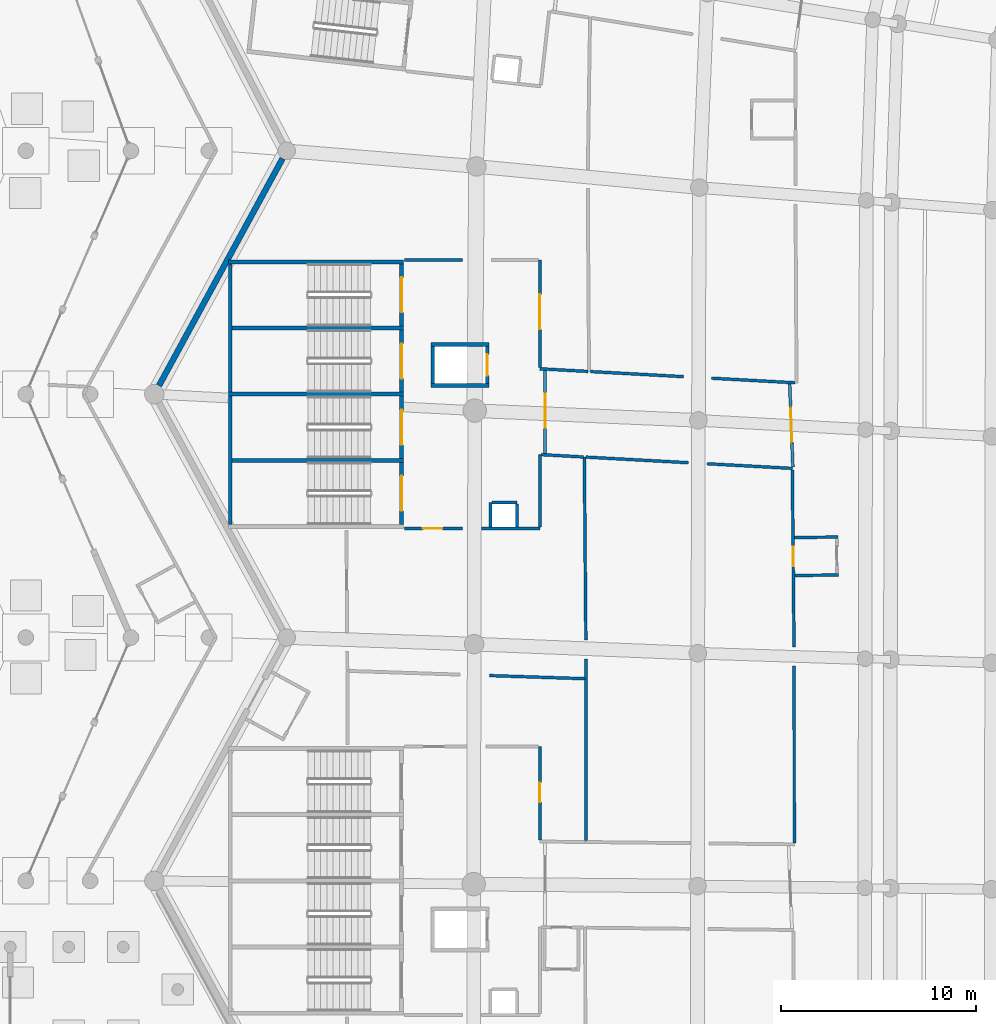
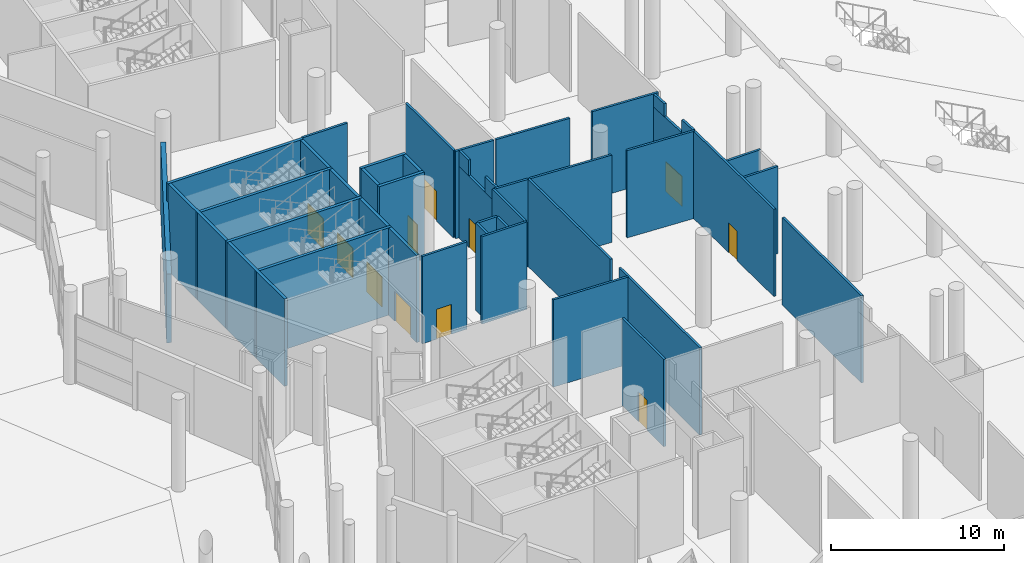
# One storey, part 133 of 255: 43 walls, 11 doors, 11 openings.
"""IFC4 building model written with IfcOpenShell, lengths in metres."""

import ifcopenshell
import ifcopenshell.guid

model = None  # the IFC model being written
_history = None  # IfcOwnerHistory: only IFC2X3 demands one
_inside = {}  # id of a spatial element -> (the spatial element, [elements in it])
_under = {}  # id of a project, library or spatial element -> (it, [spatial elements below it])
_declared = {}  # id of a project -> (the project, [libraries it declares])
_typed = {}  # id of a type object -> (the type object, [elements of that type])
_made_of = {}  # id of a material, layer set ... -> (it, [elements and type objects made of it])


def new_model(schema):
    """Start an empty IFC model of exactly this schema.

    Asked for "IFC4X3", IfcOpenShell would pick the latest addendum, in which some entities
    have other attributes; the version numbers below select the first issue.
    IFC2X3 requires an IfcOwnerHistory on every rooted entity: one is made here for all.
    """
    global model, _history
    if schema == "IFC4X3":
        model = ifcopenshell.file(schema_version=(4, 3, 0, 0))
    else:
        model = ifcopenshell.file(schema=schema)
    _inside.clear()
    _under.clear()
    _declared.clear()
    _typed.clear()
    _made_of.clear()
    _history = None
    if model.schema == "IFC2X3":
        org = make("IfcOrganization", Name="unknown")
        user = make(
            "IfcPersonAndOrganization",
            ThePerson=make("IfcPerson", FamilyName="unknown"),
            TheOrganization=org,
        )
        app = make(
            "IfcApplication",
            ApplicationDeveloper=org,
            Version="unknown",
            ApplicationFullName="unknown",
            ApplicationIdentifier="unknown",
        )
        _history = make(
            "IfcOwnerHistory",
            OwningUser=user,
            OwningApplication=app,
            ChangeAction="ADDED",
            CreationDate=0,
        )
    return model


def make(cls, **values):
    """One entity of the class cls with the attributes given. An attribute that is None is left unset."""
    return model.create_entity(
        cls, **{name: value for name, value in values.items() if value is not None}
    )


def rooted(cls, **values):
    """An entity with a GlobalId (a new one), such as an element, a storey or a relation."""
    return make(cls, GlobalId=ifcopenshell.guid.new(), OwnerHistory=_history, **values)


def si_unit(unit_type, name, prefix=None):
    """IfcSIUnit, for example si_unit("LENGTHUNIT", "METRE", prefix="MILLI")."""
    return make("IfcSIUnit", UnitType=unit_type, Prefix=prefix, Name=name)


def assignment(units):
    """IfcUnitAssignment: the units of a project."""
    return None if units is None else make("IfcUnitAssignment", Units=units)


def point(xyz):
    """IfcCartesianPoint."""
    return None if xyz is None else make("IfcCartesianPoint", Coordinates=xyz)


def direction(xyz):
    """IfcDirection."""
    return None if xyz is None else make("IfcDirection", DirectionRatios=xyz)


def frame(location, z_axis=None, x_axis=None):
    """IfcAxis2Placement3D, a coordinate frame: its origin and axes. An axis left out is left unset."""
    return make(
        "IfcAxis2Placement3D",
        Location=point(location),
        Axis=direction(z_axis),
        RefDirection=direction(x_axis),
    )


def frame_2d(location, x_axis=None):
    """IfcAxis2Placement2D, a coordinate frame in the plane: its origin and x axis."""
    return make(
        "IfcAxis2Placement2D", Location=point(location), RefDirection=direction(x_axis)
    )


def origin():
    """The frame at (0, 0, 0) with its axes left unset."""
    return frame((0.0, 0.0, 0.0))


def place(relative_to, where):
    """IfcLocalPlacement: puts the frame where relative to a parent placement (None: the world)."""
    return make(
        "IfcLocalPlacement", PlacementRelTo=relative_to, RelativePlacement=where
    )


def context(
    kind, dimensions, precision=None, world=None, true_north=None, identifier=None
):
    """IfcGeometricRepresentationContext, for example the 3D "Model" context."""
    return make(
        "IfcGeometricRepresentationContext",
        ContextIdentifier=identifier,
        ContextType=kind,
        CoordinateSpaceDimension=dimensions,
        Precision=precision,
        WorldCoordinateSystem=world,
        TrueNorth=true_north,
    )


def subcontext(parent, identifier, kind, view, scale=None):
    """IfcGeometricRepresentationSubContext, for example "Body" below "Model"."""
    return make(
        "IfcGeometricRepresentationSubContext",
        ContextIdentifier=identifier,
        ContextType=kind,
        ParentContext=parent,
        TargetScale=scale,
        TargetView=view,
    )


def project(units=None, contexts=None):
    """IfcProject with its units and contexts."""
    return rooted(
        "IfcProject",
        Name="project",
        RepresentationContexts=contexts,
        UnitsInContext=assignment(units),
    )


def spatial(cls, under=None, at=None, **own):
    """A site, building, storey or space (cls), placed at a placement, below another one or the project."""
    s = rooted(cls, ObjectPlacement=at, **own)
    if under is not None:
        _under.setdefault(under.id(), (under, []))[1].append(s)
    return s


def profile(cls, at=None, kind="AREA", **sizes):
    """A parametric profile (cls). Its sizes go by their IFC names, for example OverallWidth=200.0."""
    return make(cls, ProfileType=kind, Position=at, **sizes)


def rectangle(**sizes):
    """IfcRectangleProfileDef."""
    return profile("IfcRectangleProfileDef", **sizes)


def extrude(swept, where, along, depth):
    """IfcExtrudedAreaSolid: the profile swept, set in the frame where, extruded along a direction by depth."""
    return make(
        "IfcExtrudedAreaSolid",
        SweptArea=swept,
        Position=where,
        ExtrudedDirection=direction(along),
        Depth=depth,
    )


def shape(context_of_items, identifier, shape_type, items):
    """IfcShapeRepresentation: the items that make up one representation, for example the "Body"."""
    return make(
        "IfcShapeRepresentation",
        ContextOfItems=context_of_items,
        RepresentationIdentifier=identifier,
        RepresentationType=shape_type,
        Items=items,
    )


def material(Name=None, Category=None):
    """IfcMaterial."""
    return make("IfcMaterial", Name=Name, Category=Category)


def layer(
    of_material, thickness, ventilated=None, Name=None, Category=None, Priority=None
):
    """IfcMaterialLayer: one layer of a wall or slab, of a material (None: an air gap)."""
    return make(
        "IfcMaterialLayer",
        Material=of_material,
        LayerThickness=thickness,
        IsVentilated=ventilated,
        Name=Name,
        Category=Category,
        Priority=Priority,
    )


def layer_set(layers, Name=None):
    """IfcMaterialLayerSet."""
    return make("IfcMaterialLayerSet", MaterialLayers=layers, LayerSetName=Name)


def made_of(thing, what):
    """Note that an element or type object is made of a material, layer set ...; save() writes the relation."""
    if what is not None:
        _made_of.setdefault(what.id(), (what, []))[1].append(thing)
    return thing


def type_object(cls, material=None, **own):
    """A type object (cls), such as IfcWallType, which elements share."""
    return made_of(rooted(cls, **own), material)


def element(
    cls,
    number,
    at=None,
    inside=None,
    cuts=None,
    type_object=None,
    material=None,
    context=None,
    identifier="Body",
    shape_type=None,
    held_by="IfcProductDefinitionShape",
    body=None,
    shapes=None,
    **own,
):
    """One element of the class cls, such as IfcWall. Its Tag is "e" and its number.

    at: its placement. inside: the storey or other place that contains it. cuts: it is an
    opening in that element (IfcRelVoidsElement). A single representation is given by context,
    identifier, shape_type and body (its items); several are given by shapes. held_by: the class
    of the entity that holds the representations. save() writes the other relations.
    """
    e = rooted(cls, Tag="e%d" % number, ObjectPlacement=at, **own)
    if body is not None:
        shapes = [shape(context, identifier, shape_type, body)]
    if shapes is not None:
        e.Representation = make(held_by, Representations=shapes)
    if inside is not None:
        _inside.setdefault(inside.id(), (inside, []))[1].append(e)
    if cuts is not None:
        rooted(
            "IfcRelVoidsElement", RelatingBuildingElement=cuts, RelatedOpeningElement=e
        )
    if type_object is not None:
        _typed.setdefault(type_object.id(), (type_object, []))[1].append(e)
    return made_of(e, material)


def fill(opening, filler):
    """IfcRelFillsElement: the door or window that sits in an opening."""
    return rooted(
        "IfcRelFillsElement",
        RelatingOpeningElement=opening,
        RelatedBuildingElement=filler,
    )


def aggregate(whole, parts):
    """IfcRelAggregates: a whole, such as a stair, and the parts it consists of."""
    return rooted("IfcRelAggregates", RelatingObject=whole, RelatedObjects=parts)


def save(model, path):
    """Write the relations noted so far, then the file.

    IfcRelAggregates (storeys below a building ...), IfcRelContainedInSpatialStructure (elements
    in a storey), IfcRelDefinesByType, IfcRelAssociatesMaterial and IfcRelDeclares: one each for
    every whole, place, type object, material and project.
    """
    for whole, parts in _under.values():
        aggregate(whole, parts)
    for where, things in _inside.values():
        rooted(
            "IfcRelContainedInSpatialStructure",
            RelatedElements=things,
            RelatingStructure=where,
        )
    for kind, things in _typed.values():
        rooted("IfcRelDefinesByType", RelatedObjects=things, RelatingType=kind)
    for what, things in _made_of.values():
        rooted("IfcRelAssociatesMaterial", RelatedObjects=things, RelatingMaterial=what)
    for by, libraries in _declared.values():
        rooted("IfcRelDeclares", RelatingContext=by, RelatedDefinitions=libraries)
    model.write(path)


model = new_model("IFC4")

# Units and contexts
model_context = context("Model", 3, precision=1e-05, world=origin(), true_north=direction((0.0, 1.0)))
body_context = subcontext(model_context, "Body", "Model", "MODEL_VIEW")
ifc_project = project(units=[si_unit("LENGTHUNIT", "METRE"), si_unit("AREAUNIT", "SQUARE_METRE"), si_unit("VOLUMEUNIT", "CUBIC_METRE"), si_unit("PLANEANGLEUNIT", "RADIAN"), si_unit("MASSUNIT", "GRAM", prefix="KILO")], contexts=[model_context])

# Site, building, storey
site_placement = place(None, origin())
site = spatial("IfcSite", under=ifc_project, at=site_placement, CompositionType="ELEMENT")
building_placement = place(site_placement, origin())
building = spatial("IfcBuilding", under=site, at=building_placement, Name="Meseta Stadium", CompositionType="ELEMENT")
storey_placement = place(building_placement, origin())
storey = spatial("IfcBuildingStorey", under=building, at=storey_placement, Name="L00", CompositionType="ELEMENT", Elevation=0.0)

# Walls
ifc_material_1 = material(Name="Concrete C40/50", Category="concrete")
ifc_layer_1 = layer(ifc_material_1, 0.199951171875)
ifc_layer_set_1 = layer_set([ifc_layer_1], Name="Core divider wall 200")
wall_type_1 = type_object("IfcWallType", Name="Core divider wall 200", PredefinedType="SHEAR", material=ifc_layer_set_1)
for number, where, z_axis, x_axis, name in (
    (1, (-97.60009765625, 34.64990234375, 0.0), (0.0, 0.0, 1.0), (1.0, 0.0, 0.0), "Core 16 L00 stair A divider wall"),
    (2, (-97.60009765625, 27.85009765625, 0.0), (0.0, 0.0, 1.0), (1.0, 0.0, 0.0), "Core 16 L00 stair B divider wall"),
):
    element("IfcWall", number, at=place(storey_placement, frame(where, z_axis=z_axis, x_axis=x_axis)), inside=storey, type_object=wall_type_1, Name=name, PredefinedType="SHEAR", context=body_context, shape_type="SweptSolid", body=[
        extrude(rectangle(XDim=9.0, YDim=0.199951171875, at=frame_2d((4.5, 0.0))), origin(), (0.0, 0.0, 1.0), 6.14990234375),
    ])
ifc_material_2 = material(Name="Concrete C40/50", Category="concrete")
ifc_layer_2 = layer(ifc_material_2, 0.199951171875)
ifc_layer_set_2 = layer_set([ifc_layer_2], Name="Core shaft wall 200")
wall_type_2 = type_object("IfcWallType", Name="Core shaft wall 200", PredefinedType="SHEAR", material=ifc_layer_set_2)
for number, where, z_axis, x_axis, name in (
    (3, (-97.60009765625, 38.050048828125, 0.0), (0.0, 0.0, 1.0), (1.0, 0.0, 0.0), "Core 16 L00 stair wall A-side"),
    (4, (-97.60009765625, 31.25, 0.0), (0.0, 0.0, 1.0), (1.0, 0.0, 0.0), "Core 16 L00 stair wall shared"),
):
    element("IfcWall", number, at=place(storey_placement, frame(where, z_axis=z_axis, x_axis=x_axis)), inside=storey, type_object=wall_type_2, Name=name, PredefinedType="SHEAR", context=body_context, shape_type="SweptSolid", body=[
        extrude(rectangle(XDim=9.0, YDim=0.199951171875, at=frame_2d((4.5, 0.0))), origin(), (0.0, 0.0, 1.0), 6.14990234375),
    ])
for number, where, z_axis, x_axis, name in (
    (5, (-97.5, 37.949951171875, 0.0), (0.0, 0.0, 1.0), (0.0, -1.0, 0.0), "Core 16 L00 stair A outer end wall"),
    (6, (-97.5, 31.14990234375, 0.0), (0.0, 0.0, 1.0), (0.0, -1.0, 0.0), "Core 16 L00 stair B outer end wall"),
):
    element("IfcWall", number, at=place(storey_placement, frame(where, z_axis=z_axis, x_axis=x_axis)), inside=storey, type_object=wall_type_2, Name=name, PredefinedType="SHEAR", context=body_context, shape_type="SweptSolid", body=[
        extrude(rectangle(XDim=6.599853515625, YDim=0.199951171875, at=frame_2d((3.2998046875, 0.0))), origin(), (0.0, 0.0, 1.0), 6.14990234375),
    ])

# Wall, opening, door
wall_1_placement = place(storey_placement, frame((-88.699951171875, 37.949951171875, 0.0), z_axis=(0.0, 0.0, 1.0), x_axis=(0.0, -1.0, 0.0)))
wall_1 = element("IfcWall", 7, at=wall_1_placement, inside=storey, type_object=wall_type_2, Name="Core 16 L00 stair A1 inner end wall", PredefinedType="SHEAR", context=body_context, shape_type="SweptSolid", body=[
    extrude(rectangle(XDim=3.199951171875, YDim=0.199951171875, at=frame_2d((1.60009765625, 0.0))), origin(), (0.0, 0.0, 1.0), 6.14990234375),
])
opening_1_placement = place(wall_1_placement, frame((0.699951171875, 0.0, 0.0)))
opening_1 = element("IfcOpeningElement", 8, at=opening_1_placement, cuts=wall_1, Name="Opening D215", PredefinedType="OPENING", context=body_context, shape_type="SweptSolid", body=[
    extrude(rectangle(XDim=1.800048828125, YDim=2.10009765625, at=frame_2d((0.89990234375, 1.050048828125))), frame((0.0, 0.10986328125, 0.0), z_axis=(0.0, -1.0, 0.0), x_axis=(1.0, 0.0, 0.0)), (0.0, 0.0, 1.0), 0.219970703125),
])
ifc_material_3 = material(Name="Steel", Category="steel")
door_type_1 = type_object("IfcDoorType", Name="Stair door 1800x2100", OperationType="DOUBLE_DOOR_SINGLE_SWING", PredefinedType="DOOR", material=ifc_material_3)
door_1_placement = place(opening_1_placement, origin())
door_1 = element("IfcDoor", 9, at=door_1_placement, inside=storey, type_object=door_type_1, Name="Stair A1 door 16 L00", OperationType="DOUBLE_DOOR_SINGLE_SWING", OverallHeight=2.10009765625, OverallWidth=1.800048828125, PredefinedType="DOOR", context=body_context, shape_type="SweptSolid", body=[
    extrude(rectangle(XDim=1.800048828125, YDim=2.10009765625, at=frame_2d((0.89990234375, 1.050048828125))), frame((0.0, 0.02490234375, 0.0), z_axis=(0.0, -1.0, 0.0), x_axis=(1.0, 0.0, 0.0)), (0.0, 0.0, 1.0), 0.050048828125),
])
fill(opening_1, door_1)

wall_2_placement = place(storey_placement, frame((-88.699951171875, 34.550048828125, 0.0), z_axis=(0.0, 0.0, 1.0), x_axis=(0.0, -1.0, 0.0)))
wall_2 = element("IfcWall", 10, at=wall_2_placement, inside=storey, type_object=wall_type_2, Name="Core 16 L00 stair A2 inner end wall", PredefinedType="SHEAR", context=body_context, shape_type="SweptSolid", body=[
    extrude(rectangle(XDim=3.199951171875, YDim=0.199951171875, at=frame_2d((1.60009765625, 0.0))), origin(), (0.0, 0.0, 1.0), 6.14990234375),
])
opening_2_placement = place(wall_2_placement, frame((0.699951171875, 0.0, 0.0)))
opening_2 = element("IfcOpeningElement", 11, at=opening_2_placement, cuts=wall_2, Name="Opening D216", PredefinedType="OPENING", context=body_context, shape_type="SweptSolid", body=[
    extrude(rectangle(XDim=1.800048828125, YDim=2.10009765625, at=frame_2d((0.89990234375, 1.050048828125))), frame((0.0, 0.10986328125, 0.0), z_axis=(0.0, -1.0, 0.0), x_axis=(1.0, 0.0, 0.0)), (0.0, 0.0, 1.0), 0.219970703125),
])
door_2_placement = place(opening_2_placement, origin())
door_2 = element("IfcDoor", 12, at=door_2_placement, inside=storey, type_object=door_type_1, Name="Stair A2 door 16 L00", OperationType="DOUBLE_DOOR_SINGLE_SWING", OverallHeight=2.10009765625, OverallWidth=1.800048828125, PredefinedType="DOOR", context=body_context, shape_type="SweptSolid", body=[
    extrude(rectangle(XDim=1.800048828125, YDim=2.10009765625, at=frame_2d((0.89990234375, 1.050048828125))), frame((0.0, 0.02490234375, 0.0), z_axis=(0.0, -1.0, 0.0), x_axis=(1.0, 0.0, 0.0)), (0.0, 0.0, 1.0), 0.050048828125),
])
fill(opening_2, door_2)

wall_3_placement = place(storey_placement, frame((-88.699951171875, 31.14990234375, 0.0), z_axis=(0.0, 0.0, 1.0), x_axis=(0.0, -1.0, 0.0)))
wall_3 = element("IfcWall", 13, at=wall_3_placement, inside=storey, type_object=wall_type_2, Name="Core 16 L00 stair B1 inner end wall", PredefinedType="SHEAR", context=body_context, shape_type="SweptSolid", body=[
    extrude(rectangle(XDim=3.199951171875, YDim=0.199951171875, at=frame_2d((1.60009765625, 0.0))), origin(), (0.0, 0.0, 1.0), 6.14990234375),
])
opening_3_placement = place(wall_3_placement, frame((0.699951171875, 0.0, 0.0)))
opening_3 = element("IfcOpeningElement", 14, at=opening_3_placement, cuts=wall_3, Name="Opening D217", PredefinedType="OPENING", context=body_context, shape_type="SweptSolid", body=[
    extrude(rectangle(XDim=1.800048828125, YDim=2.10009765625, at=frame_2d((0.89990234375, 1.050048828125))), frame((0.0, 0.10986328125, 0.0), z_axis=(0.0, -1.0, 0.0), x_axis=(1.0, 0.0, 0.0)), (0.0, 0.0, 1.0), 0.219970703125),
])
door_3_placement = place(opening_3_placement, origin())
door_3 = element("IfcDoor", 15, at=door_3_placement, inside=storey, type_object=door_type_1, Name="Stair B1 door 16 L00", OperationType="DOUBLE_DOOR_SINGLE_SWING", OverallHeight=2.10009765625, OverallWidth=1.800048828125, PredefinedType="DOOR", context=body_context, shape_type="SweptSolid", body=[
    extrude(rectangle(XDim=1.800048828125, YDim=2.10009765625, at=frame_2d((0.89990234375, 1.050048828125))), frame((0.0, 0.02490234375, 0.0), z_axis=(0.0, -1.0, 0.0), x_axis=(1.0, 0.0, 0.0)), (0.0, 0.0, 1.0), 0.050048828125),
])
fill(opening_3, door_3)

wall_4_placement = place(storey_placement, frame((-88.699951171875, 27.75, 0.0), z_axis=(0.0, 0.0, 1.0), x_axis=(0.0, -1.0, 0.0)))
wall_4 = element("IfcWall", 16, at=wall_4_placement, inside=storey, type_object=wall_type_2, Name="Core 16 L00 stair B2 inner end wall", PredefinedType="SHEAR", context=body_context, shape_type="SweptSolid", body=[
    extrude(rectangle(XDim=3.199951171875, YDim=0.199951171875, at=frame_2d((1.60009765625, 0.0))), origin(), (0.0, 0.0, 1.0), 6.14990234375),
])
opening_4_placement = place(wall_4_placement, frame((0.699951171875, 0.0, 0.0)))
opening_4 = element("IfcOpeningElement", 17, at=opening_4_placement, cuts=wall_4, Name="Opening D218", PredefinedType="OPENING", context=body_context, shape_type="SweptSolid", body=[
    extrude(rectangle(XDim=1.800048828125, YDim=2.10009765625, at=frame_2d((0.89990234375, 1.050048828125))), frame((0.0, 0.10986328125, 0.0), z_axis=(0.0, -1.0, 0.0), x_axis=(1.0, 0.0, 0.0)), (0.0, 0.0, 1.0), 0.219970703125),
])
door_4_placement = place(opening_4_placement, origin())
door_4 = element("IfcDoor", 18, at=door_4_placement, inside=storey, type_object=door_type_1, Name="Stair B2 door 16 L00", OperationType="DOUBLE_DOOR_SINGLE_SWING", OverallHeight=2.10009765625, OverallWidth=1.800048828125, PredefinedType="DOOR", context=body_context, shape_type="SweptSolid", body=[
    extrude(rectangle(XDim=1.800048828125, YDim=2.10009765625, at=frame_2d((0.89990234375, 1.050048828125))), frame((0.0, 0.02490234375, 0.0), z_axis=(0.0, -1.0, 0.0), x_axis=(1.0, 0.0, 0.0)), (0.0, 0.0, 1.0), 0.050048828125),
])
fill(opening_4, door_4)

# Walls
for number, where, z_axis, x_axis, name in (
    (19, (-87.199951171875, 33.800048828125, 0.0), (0.0, 0.0, 1.0), (1.0, 0.0, 0.0), "Core 16 L00 lift shaft wall left"),
    (20, (-87.199951171875, 31.699951171875, 0.0), (0.0, 0.0, 1.0), (1.0, 0.0, 0.0), "Core 16 L00 lift shaft wall right"),
):
    element("IfcWall", number, at=place(storey_placement, frame(where, z_axis=z_axis, x_axis=x_axis)), inside=storey, type_object=wall_type_2, Name=name, PredefinedType="SHEAR", context=body_context, shape_type="SweptSolid", body=[
        extrude(rectangle(XDim=3.0, YDim=0.199951171875, at=frame_2d((1.5, 0.0))), origin(), (0.0, 0.0, 1.0), 6.14990234375),
    ])
wall_5_placement = place(storey_placement, frame((-87.10009765625, 33.699951171875, 0.0), z_axis=(0.0, 0.0, 1.0), x_axis=(0.0, -1.0, 0.0)))
element("IfcWall", 21, at=wall_5_placement, inside=storey, type_object=wall_type_2, Name="Core 16 L00 lift shaft back wall", PredefinedType="SHEAR", context=body_context, shape_type="SweptSolid", body=[
    extrude(rectangle(XDim=1.89990234375, YDim=0.199951171875, at=frame_2d((0.949951171875, 0.0))), origin(), (0.0, 0.0, 1.0), 6.14990234375),
])

# Wall, opening, door
wall_6_placement = place(storey_placement, frame((-84.300048828125, 33.699951171875, 0.0), z_axis=(0.0, 0.0, 1.0), x_axis=(0.0, -1.0, 0.0)))
wall_6 = element("IfcWall", 22, at=wall_6_placement, inside=storey, type_object=wall_type_2, Name="Core 16 L00 lift shaft front wall", PredefinedType="SHEAR", context=body_context, shape_type="SweptSolid", body=[
    extrude(rectangle(XDim=1.89990234375, YDim=0.199951171875, at=frame_2d((0.949951171875, 0.0))), origin(), (0.0, 0.0, 1.0), 6.14990234375),
])
opening_5_placement = place(wall_6_placement, frame((0.39990234375, 0.0, 0.0)))
opening_5 = element("IfcOpeningElement", 23, at=opening_5_placement, cuts=wall_6, Name="Opening LD86", PredefinedType="OPENING", context=body_context, shape_type="SweptSolid", body=[
    extrude(rectangle(XDim=1.10009765625, YDim=2.10009765625, at=frame_2d((0.550048828125, 1.050048828125))), frame((0.0, 0.10986328125, 0.0), z_axis=(0.0, -1.0, 0.0), x_axis=(1.0, 0.0, 0.0)), (0.0, 0.0, 1.0), 0.219970703125),
])
ifc_material_4 = material(Name="Steel", Category="steel")
door_type_2 = type_object("IfcDoorType", Name="Lift landing door 1100x2100", OperationType="SLIDING_TO_LEFT", PredefinedType="DOOR", material=ifc_material_4)
door_5_placement = place(opening_5_placement, origin())
door_5 = element("IfcDoor", 24, at=door_5_placement, inside=storey, type_object=door_type_2, Name="Lift landing door LD86", OperationType="SLIDING_TO_RIGHT", OverallHeight=2.10009765625, OverallWidth=1.10009765625, PredefinedType="DOOR", context=body_context, shape_type="SweptSolid", body=[
    extrude(rectangle(XDim=1.10009765625, YDim=2.10009765625, at=frame_2d((0.550048828125, 1.050048828125))), frame((0.0, 0.02490234375, 0.0), z_axis=(0.0, -1.0, 0.0), x_axis=(1.0, 0.0, 0.0)), (0.0, 0.0, 1.0), 0.050048828125),
])
fill(opening_5, door_5)

# Walls
ifc_material_5 = material(Name="Masonry blockwork", Category="masonry")
ifc_layer_3 = layer(ifc_material_5, 0.14990234375)
ifc_layer_set_3 = layer_set([ifc_layer_3], Name="Partition 150")
wall_type_3 = type_object("IfcWallType", Name="Partition 150", PredefinedType="PARTITIONING", material=ifc_layer_set_3)
wall_7_placement = place(storey_placement, frame((-68.48486328125, 31.835205078125, 0.0), z_axis=(0.0, 0.0, 1.0), x_axis=(-0.99849947009, 0.054761375346, 0.0)))
element("IfcWall", 25, at=wall_7_placement, inside=storey, type_object=wall_type_3, Name="Partition L00 L00-cell14-1-0", PredefinedType="PARTITIONING", context=body_context, shape_type="SweptSolid", body=[
    extrude(rectangle(XDim=4.293212890625, YDim=0.14990234375, at=frame_2d((2.146484375, 0.0))), origin(), (0.0, 0.0, 1.0), 6.14990234375),
])
wall_8_placement = place(storey_placement, frame((-74.2255859375, 32.14990234375, 0.0), z_axis=(0.0, 0.0, 1.0), x_axis=(-0.998499245292, 0.054765474083, 0.0)))
element("IfcWall", 26, at=wall_8_placement, inside=storey, type_object=wall_type_3, Name="Partition L00 L00-cell14-1-0", PredefinedType="PARTITIONING", context=body_context, shape_type="SweptSolid", body=[
    extrude(rectangle(XDim=4.77880859375, YDim=0.14990234375, at=frame_2d((2.389404296875, 0.0))), origin(), (0.0, 0.0, 1.0), 6.14990234375),
])
wall_9_placement = place(storey_placement, frame((-79.122314453125, 32.418212890625, 0.0), z_axis=(0.0, 0.0, 1.0), x_axis=(-0.998497362752, 0.05479978629, 0.0)))
element("IfcWall", 27, at=wall_9_placement, inside=storey, type_object=wall_type_3, Name="Partition L00 L00-cell14-2-0", PredefinedType="PARTITIONING", context=body_context, shape_type="SweptSolid", body=[
    extrude(rectangle(XDim=2.4814453125, YDim=0.14990234375, at=frame_2d((1.24072265625, 0.0))), origin(), (0.0, 0.0, 1.0), 6.14990234375),
])

# Wall, opening, door
wall_10_placement = place(storey_placement, frame((-81.60009765625, 32.62939453125, 0.0), z_axis=(0.0, 0.0, 1.0), x_axis=(0.0, 1.0, 0.0)))
wall_10 = element("IfcWall", 28, at=wall_10_placement, inside=storey, type_object=wall_type_3, Name="Partition L00 L00-cell14-2-0", PredefinedType="PARTITIONING", context=body_context, shape_type="SweptSolid", body=[
    extrude(rectangle(XDim=5.5205078125, YDim=0.14990234375, at=frame_2d((2.76025390625, 0.0))), origin(), (0.0, 0.0, 1.0), 6.14990234375),
])
opening_6_placement = place(wall_10_placement, frame((1.949951171875, 0.0, 0.0)))
opening_6 = element("IfcOpeningElement", 29, at=opening_6_placement, cuts=wall_10, Name="Opening D577", PredefinedType="OPENING", context=body_context, shape_type="SweptSolid", body=[
    extrude(rectangle(XDim=1.800048828125, YDim=2.10009765625, at=frame_2d((0.89990234375, 1.050048828125))), frame((0.0, 0.0849609375, 0.0), z_axis=(0.0, -1.0, 0.0), x_axis=(1.0, 0.0, 0.0)), (0.0, 0.0, 1.0), 0.169921875),
])
ifc_material_6 = material(Name="Timber", Category="wood")
door_type_3 = type_object("IfcDoorType", Name="Room double door 1800x2100", OperationType="DOUBLE_DOOR_SINGLE_SWING", PredefinedType="DOOR", material=ifc_material_6)
door_6_placement = place(opening_6_placement, origin())
door_6 = element("IfcDoor", 30, at=door_6_placement, inside=storey, type_object=door_type_3, Name="Door D577", OperationType="DOUBLE_DOOR_SINGLE_SWING", OverallHeight=2.10009765625, OverallWidth=1.800048828125, PredefinedType="DOOR", context=body_context, shape_type="SweptSolid", body=[
    extrude(rectangle(XDim=1.800048828125, YDim=2.10009765625, at=frame_2d((0.89990234375, 1.050048828125))), frame((0.0, 0.02490234375, 0.0), z_axis=(0.0, -1.0, 0.0), x_axis=(1.0, 0.0, 0.0)), (0.0, 0.0, 1.0), 0.050048828125),
])
fill(opening_6, door_6)

# Walls
wall_11_placement = place(storey_placement, frame((-85.5771484375, 38.14990234375, 0.0), z_axis=(0.0, 0.0, 1.0), x_axis=(-1.0, 0.0, 0.0)))
element("IfcWall", 31, at=wall_11_placement, inside=storey, type_object=wall_type_3, Name="Partition L00 L00-cell14-2-0", PredefinedType="PARTITIONING", context=body_context, shape_type="SweptSolid", body=[
    extrude(rectangle(XDim=2.98291015625, YDim=0.14990234375, at=frame_2d((1.491455078125, 0.0))), origin(), (0.0, 0.0, 1.0), 6.14990234375),
])
wall_12_placement = place(storey_placement, frame((-79.2236328125, 8.3193359375, 0.0), z_axis=(0.0, 0.0, 1.0), x_axis=(-0.00057636878, 0.9999998339, 0.0)))
element("IfcWall", 32, at=wall_12_placement, inside=storey, type_object=wall_type_3, Name="Partition L00 L00-cell15-1-0", PredefinedType="PARTITIONING", context=body_context, shape_type="SweptSolid", body=[
    extrude(rectangle(XDim=9.31884765625, YDim=0.14990234375, at=frame_2d((4.659423828125, 0.0))), origin(), (0.0, 0.0, 1.0), 6.14990234375),
])
wall_13_placement = place(storey_placement, frame((-79.2333984375, 18.626953125, 0.0), z_axis=(0.0, 0.0, 1.0), x_axis=(-0.008470969086, 0.999964120698, 0.0)))
element("IfcWall", 33, at=wall_13_placement, inside=storey, type_object=wall_type_3, Name="Partition L00 L00-cell15-1-0", PredefinedType="PARTITIONING", context=body_context, shape_type="SweptSolid", body=[
    extrude(rectangle(XDim=9.3955078125, YDim=0.14990234375, at=frame_2d((4.69775390625, 0.0))), origin(), (0.0, 0.0, 1.0), 6.14990234375),
])
wall_14_placement = place(storey_placement, frame((-79.238037109375, 28.01806640625, 0.0), z_axis=(0.0, 0.0, 1.0), x_axis=(0.998499830686, -0.054754799968, 0.0)))
element("IfcWall", 34, at=wall_14_placement, inside=storey, type_object=wall_type_3, Name="Partition L00 L00-cell15-1-0", PredefinedType="PARTITIONING", context=body_context, shape_type="SweptSolid", body=[
    extrude(rectangle(XDim=5.274658203125, YDim=0.14990234375, at=frame_2d((2.63720703125, 0.0))), origin(), (0.0, 0.0, 1.0), 6.14990234375),
])
wall_15_placement = place(storey_placement, frame((-72.999755859375, 27.676025390625, 0.0), z_axis=(0.0, 0.0, 1.0), x_axis=(0.998501943603, -0.05471625554, 0.0)))
element("IfcWall", 35, at=wall_15_placement, inside=storey, type_object=wall_type_3, Name="Partition L00 L00-cell15-1-0", PredefinedType="PARTITIONING", context=body_context, shape_type="SweptSolid", body=[
    extrude(rectangle(XDim=4.377197265625, YDim=0.14990234375, at=frame_2d((2.1884765625, 0.0))), origin(), (0.0, 0.0, 1.0), 6.14990234375),
])

# Wall, opening, door
wall_16_placement = place(storey_placement, frame((-68.62841796875, 27.361328125, 0.0), z_axis=(0.0, 0.0, 1.0), x_axis=(0.009740581754, -0.999952559408, 0.0)))
wall_16 = element("IfcWall", 36, at=wall_16_placement, inside=storey, type_object=wall_type_3, Name="Partition L00 L00-cell15-1-0", PredefinedType="PARTITIONING", context=body_context, shape_type="SweptSolid", body=[
    extrude(rectangle(XDim=9.098388671875, YDim=0.14990234375, at=frame_2d((4.54931640625, 0.0))), origin(), (0.0, 0.0, 1.0), 6.14990234375),
])
opening_7_placement = place(wall_16_placement, frame((3.949951171875, 0.0, 0.0)))
opening_7 = element("IfcOpeningElement", 37, at=opening_7_placement, cuts=wall_16, Name="Opening D578", PredefinedType="OPENING", context=body_context, shape_type="SweptSolid", body=[
    extrude(rectangle(XDim=1.0, YDim=2.10009765625, at=frame_2d((0.5, 1.050048828125))), frame((0.0, 0.0849609375, 0.0), z_axis=(0.0, -1.0, 0.0), x_axis=(1.0, 0.0, 0.0)), (0.0, 0.0, 1.0), 0.169921875),
])
ifc_material_7 = material(Name="Steel", Category="steel")
door_type_4 = type_object("IfcDoorType", Name="Fire door 1000x2100 EI2 60", OperationType="NOTDEFINED", PredefinedType="DOOR", material=ifc_material_7)
door_7_placement = place(opening_7_placement, origin())
door_7 = element("IfcDoor", 38, at=door_7_placement, inside=storey, type_object=door_type_4, Name="Door D578", OperationType="SINGLE_SWING_LEFT", OverallHeight=2.10009765625, OverallWidth=1.0, PredefinedType="DOOR", context=body_context, shape_type="SweptSolid", body=[
    extrude(rectangle(XDim=1.0, YDim=2.10009765625, at=frame_2d((0.5, 1.050048828125))), frame((0.0, 0.02490234375, 0.0), z_axis=(0.0, -1.0, 0.0), x_axis=(1.0, 0.0, 0.0)), (0.0, 0.0, 1.0), 0.050048828125),
])
fill(opening_7, door_7)

# Wall
wall_17_placement = place(storey_placement, frame((-68.53466796875, 17.298095703125, 0.0), z_axis=(0.0, 0.0, 1.0), x_axis=(0.001127273963, -0.999999364627, 0.0)))
element("IfcWall", 39, at=wall_17_placement, inside=storey, type_object=wall_type_3, Name="Partition L00 L00-cell15-1-0", PredefinedType="PARTITIONING", context=body_context, shape_type="SweptSolid", body=[
    extrude(rectangle(XDim=9.09619140625, YDim=0.14990234375, at=frame_2d((4.548095703125, 0.0))), origin(), (0.0, 0.0, 1.0), 6.14990234375),
])

# Wall, opening, door
wall_18_placement = place(storey_placement, frame((-81.60009765625, 8.34521484375, 0.0), z_axis=(0.0, 0.0, 1.0), x_axis=(0.0, 1.0, 0.0)))
wall_18 = element("IfcWall", 40, at=wall_18_placement, inside=storey, type_object=wall_type_3, Name="Partition L00 L00-cell15-2-0b1", PredefinedType="PARTITIONING", context=body_context, shape_type="SweptSolid", body=[
    extrude(rectangle(XDim=4.8046875, YDim=0.14990234375, at=frame_2d((2.40234375, 0.0))), origin(), (0.0, 0.0, 1.0), 6.14990234375),
])
opening_8_placement = place(wall_18_placement, frame((1.949951171875, 0.0, 0.0)))
opening_8 = element("IfcOpeningElement", 41, at=opening_8_placement, cuts=wall_18, Name="Opening D580", PredefinedType="OPENING", context=body_context, shape_type="SweptSolid", body=[
    extrude(rectangle(XDim=1.0, YDim=2.10009765625, at=frame_2d((0.5, 1.050048828125))), frame((0.0, 0.0849609375, 0.0), z_axis=(0.0, -1.0, 0.0), x_axis=(1.0, 0.0, 0.0)), (0.0, 0.0, 1.0), 0.169921875),
])
ifc_material_8 = material(Name="Timber", Category="wood")
door_type_5 = type_object("IfcDoorType", Name="Room door 1000x2100", OperationType="NOTDEFINED", PredefinedType="DOOR", material=ifc_material_8)
door_8_placement = place(opening_8_placement, origin())
door_8 = element("IfcDoor", 42, at=door_8_placement, inside=storey, type_object=door_type_5, Name="Door D580", OperationType="SINGLE_SWING_RIGHT", OverallHeight=2.10009765625, OverallWidth=1.0, PredefinedType="DOOR", context=body_context, shape_type="SweptSolid", body=[
    extrude(rectangle(XDim=1.0, YDim=2.10009765625, at=frame_2d((0.5, 1.050048828125))), frame((0.0, 0.02490234375, 0.0), z_axis=(0.0, -1.0, 0.0), x_axis=(1.0, 0.0, 0.0)), (0.0, 0.0, 1.0), 0.050048828125),
])
fill(opening_8, door_8)

# Wall
wall_19_placement = place(storey_placement, frame((-84.1865234375, 16.794921875, 0.0), z_axis=(0.0, 0.0, 1.0), x_axis=(0.999458234684, -0.032912567844, 0.0)))
element("IfcWall", 43, at=wall_19_placement, inside=storey, type_object=wall_type_3, Name="Partition L00 L00-cell15-2-0b1", PredefinedType="PARTITIONING", context=body_context, shape_type="SweptSolid", body=[
    extrude(rectangle(XDim=4.91064453125, YDim=0.14990234375, at=frame_2d((2.455322265625, 0.0))), origin(), (0.0, 0.0, 1.0), 6.14990234375),
])

# Wall, opening, door
wall_20_placement = place(storey_placement, frame((-88.56005859375, 24.35009765625, 0.0), z_axis=(0.0, 0.0, 1.0), x_axis=(1.0, 0.0, 0.0)))
wall_20 = element("IfcWall", 44, at=wall_20_placement, inside=storey, type_object=wall_type_3, Name="Partition L00 L00-cell15-2-0w", PredefinedType="PARTITIONING", context=body_context, shape_type="SweptSolid", body=[
    extrude(rectangle(XDim=2.98291015625, YDim=0.14990234375, at=frame_2d((1.491455078125, 0.0))), origin(), (0.0, 0.0, 1.0), 6.14990234375),
])
opening_9_placement = place(wall_20_placement, frame((0.949951171875, 0.0, 0.0)))
opening_9 = element("IfcOpeningElement", 45, at=opening_9_placement, cuts=wall_20, Name="Opening D581", PredefinedType="OPENING", context=body_context, shape_type="SweptSolid", body=[
    extrude(rectangle(XDim=1.0, YDim=2.10009765625, at=frame_2d((0.5, 1.050048828125))), frame((0.0, 0.0849609375, 0.0), z_axis=(0.0, -1.0, 0.0), x_axis=(1.0, 0.0, 0.0)), (0.0, 0.0, 1.0), 0.169921875),
])
door_9_placement = place(opening_9_placement, origin())
door_9 = element("IfcDoor", 46, at=door_9_placement, inside=storey, type_object=door_type_5, Name="Door D581", OperationType="SINGLE_SWING_LEFT", OverallHeight=2.10009765625, OverallWidth=1.0, PredefinedType="DOOR", context=body_context, shape_type="SweptSolid", body=[
    extrude(rectangle(XDim=1.0, YDim=2.10009765625, at=frame_2d((0.5, 1.050048828125))), frame((0.0, 0.02490234375, 0.0), z_axis=(0.0, -1.0, 0.0), x_axis=(1.0, 0.0, 0.0)), (0.0, 0.0, 1.0), 0.050048828125),
])
fill(opening_9, door_9)

# Walls
wall_21_placement = place(storey_placement, frame((-84.5830078125, 24.35009765625, 0.0), z_axis=(0.0, 0.0, 1.0), x_axis=(1.0, 0.0, 0.0)))
element("IfcWall", 47, at=wall_21_placement, inside=storey, type_object=wall_type_3, Name="Partition L00 L00-cell15-2-0w", PredefinedType="PARTITIONING", context=body_context, shape_type="SweptSolid", body=[
    extrude(rectangle(XDim=2.98291015625, YDim=0.14990234375, at=frame_2d((1.491455078125, 0.0))), origin(), (0.0, 0.0, 1.0), 6.14990234375),
])
wall_22_placement = place(storey_placement, frame((-81.60009765625, 24.425048828125, 0.0), z_axis=(0.0, 0.0, 1.0), x_axis=(0.0, 1.0, 0.0)))
element("IfcWall", 48, at=wall_22_placement, inside=storey, type_object=wall_type_3, Name="Partition L00 L00-cell15-2-0w", PredefinedType="PARTITIONING", context=body_context, shape_type="SweptSolid", body=[
    extrude(rectangle(XDim=3.72265625, YDim=0.14990234375, at=frame_2d((1.861328125, 0.0))), origin(), (0.0, 0.0, 1.0), 6.14990234375),
])
wall_23_placement = place(storey_placement, frame((-81.52490234375, 28.1435546875, 0.0), z_axis=(0.0, 0.0, 1.0), x_axis=(0.998497253929, -0.054801769103, 0.0)))
element("IfcWall", 49, at=wall_23_placement, inside=storey, type_object=wall_type_3, Name="Partition L00 L00-cell15-2-0w", PredefinedType="PARTITIONING", context=body_context, shape_type="SweptSolid", body=[
    extrude(rectangle(XDim=2.1650390625, YDim=0.14990234375, at=frame_2d((1.08251953125, 0.0))), origin(), (0.0, 0.0, 1.0), 6.14990234375),
])
wall_24_placement = place(storey_placement, frame((-84.125, 25.675048828125, 0.0), z_axis=(0.0, 0.0, 1.0), x_axis=(0.0, -1.0, 0.0)))
element("IfcWall", 50, at=wall_24_placement, inside=storey, type_object=wall_type_3, Name="Pressurisation shaft wall L00 core 16", PredefinedType="PARTITIONING", context=body_context, shape_type="SweptSolid", body=[
    extrude(rectangle(XDim=1.2490234375, YDim=0.14990234375, at=frame_2d((0.62451171875, 0.0))), origin(), (0.0, 0.0, 1.0), 6.14990234375),
])
wall_25_placement = place(storey_placement, frame((-82.77490234375, 24.426025390625, 0.0), z_axis=(0.0, 0.0, 1.0), x_axis=(0.0, 1.0, 0.0)))
element("IfcWall", 51, at=wall_25_placement, inside=storey, type_object=wall_type_3, Name="Pressurisation shaft wall L00 core 16", PredefinedType="PARTITIONING", context=body_context, shape_type="SweptSolid", body=[
    extrude(rectangle(XDim=1.174072265625, YDim=0.14990234375, at=frame_2d((0.5869140625, 0.0))), origin(), (0.0, 0.0, 1.0), 6.14990234375),
])
wall_26_placement = place(storey_placement, frame((-82.77490234375, 25.675048828125, 0.0), z_axis=(0.0, 0.0, 1.0), x_axis=(-1.0, 0.0, 0.0)))
element("IfcWall", 52, at=wall_26_placement, inside=storey, type_object=wall_type_3, Name="Pressurisation shaft wall L00 core 16", PredefinedType="PARTITIONING", context=body_context, shape_type="SweptSolid", body=[
    extrude(rectangle(XDim=1.275146484375, YDim=0.14990234375, at=frame_2d((0.6376953125, 0.0))), origin(), (0.0, 0.0, 1.0), 6.14990234375),
])
for number, where, z_axis, x_axis, name in (
    (53, (-68.51953125, 23.88720703125, 0.0), (0.0, 0.0, 1.0), (0.999952309346, 0.009766218974, 0.0), "Partition L00 L00-cell15-1-0 vestibule"),
    (54, (-68.50048828125, 21.937255859375, 0.0), (0.0, 0.0, 1.0), (0.999952309346, 0.009766218974, 0.0), "Partition L00 L00-cell15-1-0 vestibule"),
):
    element("IfcWall", number, at=place(storey_placement, frame(where, z_axis=z_axis, x_axis=x_axis)), inside=storey, type_object=wall_type_3, Name=name, PredefinedType="PARTITIONING", context=body_context, shape_type="SweptSolid", body=[
        extrude(rectangle(XDim=2.249755859375, YDim=0.14990234375, at=frame_2d((1.125, 0.0))), origin(), (0.0, 0.0, 1.0), 6.14990234375),
    ])

# Wall, opening, door
wall_27_placement = place(storey_placement, frame((-81.324951171875, 32.458984375, 0.0), z_axis=(0.0, 0.0, 1.0), x_axis=(0.0, -1.0, 0.0)))
wall_27 = element("IfcWall", 55, at=wall_27_placement, inside=storey, type_object=wall_type_3, Name="Escape corridor sector wall L00 core 16", PredefinedType="PARTITIONING", context=body_context, shape_type="SweptSolid", body=[
    extrude(rectangle(XDim=4.24609375, YDim=0.14990234375, at=frame_2d((2.123046875, 0.0))), origin(), (0.0, 0.0, 1.0), 5.050048828125),
])
opening_10_placement = place(wall_27_placement, frame((1.14990234375, 0.0, 0.0)))
opening_10 = element("IfcOpeningElement", 56, at=opening_10_placement, cuts=wall_27, Name="Opening D420", PredefinedType="OPENING", context=body_context, shape_type="SweptSolid", body=[
    extrude(rectangle(XDim=1.800048828125, YDim=2.10009765625, at=frame_2d((0.89990234375, 1.050048828125))), frame((0.0, 0.0849609375, 0.0), z_axis=(0.0, -1.0, 0.0), x_axis=(1.0, 0.0, 0.0)), (0.0, 0.0, 1.0), 0.169921875),
])
ifc_material_9 = material(Name="Steel", Category="steel")
door_type_6 = type_object("IfcDoorType", Name="Fire double door 1800x2100 EI2 60", OperationType="DOUBLE_DOOR_SINGLE_SWING", PredefinedType="DOOR", material=ifc_material_9)
door_10_placement = place(opening_10_placement, origin())
door_10 = element("IfcDoor", 57, at=door_10_placement, inside=storey, type_object=door_type_6, Name="Escape corridor door EC16-1", OperationType="DOUBLE_DOOR_SINGLE_SWING", OverallHeight=2.10009765625, OverallWidth=1.800048828125, PredefinedType="DOOR", context=body_context, shape_type="SweptSolid", body=[
    extrude(rectangle(XDim=1.800048828125, YDim=2.10009765625, at=frame_2d((0.89990234375, 1.050048828125))), frame((0.0, 0.02490234375, 0.0), z_axis=(0.0, -1.0, 0.0), x_axis=(1.0, 0.0, 0.0)), (0.0, 0.0, 1.0), 0.050048828125),
])
fill(opening_10, door_10)

# Walls
wall_28_placement = place(storey_placement, frame((-81.324951171875, 32.458984375, 5.050048828125), z_axis=(0.0, 0.0, 1.0), x_axis=(0.0, -1.0, 0.0)))
element("IfcWall", 58, at=wall_28_placement, inside=storey, type_object=wall_type_3, Name="Escape corridor sector wall L00 core 16", PredefinedType="PARTITIONING", context=body_context, shape_type="SweptSolid", body=[
    extrude(rectangle(XDim=1.10009765625, YDim=0.14990234375, at=frame_2d((0.550048828125, 0.0))), origin(), (0.0, 0.0, 1.0), 1.099853515625),
])
wall_29_placement = place(storey_placement, frame((-81.324951171875, 29.458984375, 5.050048828125), z_axis=(0.0, 0.0, 1.0), x_axis=(0.0, -1.0, 0.0)))
element("IfcWall", 59, at=wall_29_placement, inside=storey, type_object=wall_type_3, Name="Escape corridor sector wall L00 core 16", PredefinedType="PARTITIONING", context=body_context, shape_type="SweptSolid", body=[
    extrude(rectangle(XDim=1.24609375, YDim=0.14990234375, at=frame_2d((0.623046875, 0.0))), origin(), (0.0, 0.0, 1.0), 1.099853515625),
])

# Wall, opening, door
wall_30_placement = place(storey_placement, frame((-68.7626953125, 31.76708984375, 0.0), z_axis=(0.0, 0.0, 1.0), x_axis=(0.03852573289, -0.99925760838, 0.0)))
wall_30 = element("IfcWall", 60, at=wall_30_placement, inside=storey, type_object=wall_type_3, Name="Escape corridor discharge wall L00 core 16", PredefinedType="PARTITIONING", context=body_context, shape_type="SweptSolid", body=[
    extrude(rectangle(XDim=4.252197265625, YDim=0.14990234375, at=frame_2d((2.1259765625, 0.0))), origin(), (0.0, 0.0, 1.0), 5.25),
])
opening_11_placement = place(wall_30_placement, frame((1.202392578125, 0.0, 0.0)))
opening_11 = element("IfcOpeningElement", 61, at=opening_11_placement, cuts=wall_30, Name="Opening D392", PredefinedType="OPENING", context=body_context, shape_type="SweptSolid", body=[
    extrude(rectangle(XDim=1.800048828125, YDim=2.10009765625, at=frame_2d((0.89990234375, 1.050048828125))), frame((0.0, 0.0849609375, 0.0), z_axis=(0.0, -1.0, 0.0), x_axis=(1.0, 0.0, 0.0)), (0.0, 0.0, 1.0), 0.169921875),
])
door_11_placement = place(opening_11_placement, origin())
door_11 = element("IfcDoor", 62, at=door_11_placement, inside=storey, type_object=door_type_6, Name="Stair discharge door SD16-1", OperationType="DOUBLE_DOOR_SINGLE_SWING", OverallHeight=2.10009765625, OverallWidth=1.800048828125, PredefinedType="DOOR", context=body_context, shape_type="SweptSolid", body=[
    extrude(rectangle(XDim=1.800048828125, YDim=2.10009765625, at=frame_2d((0.89990234375, 1.050048828125))), frame((0.0, 0.02490234375, 0.0), z_axis=(0.0, -1.0, 0.0), x_axis=(1.0, 0.0, 0.0)), (0.0, 0.0, 1.0), 0.050048828125),
])
fill(opening_11, door_11)

# Walls
wall_31_placement = place(storey_placement, frame((-68.64501953125, 28.717041015625, 5.25), z_axis=(0.0, 0.0, 1.0), x_axis=(0.038456565168, -0.999260272699, 0.0)))
element("IfcWall", 63, at=wall_31_placement, inside=storey, type_object=wall_type_3, Name="Escape corridor discharge wall L00 core 16", PredefinedType="PARTITIONING", context=body_context, shape_type="SweptSolid", body=[
    extrude(rectangle(XDim=1.199951171875, YDim=0.14990234375, at=frame_2d((0.60009765625, 0.0))), origin(), (0.0, 0.0, 1.0), 0.89990234375),
])
wall_32_placement = place(storey_placement, frame((-68.7626953125, 31.76708984375, 5.25), z_axis=(0.0, 0.0, 1.0), x_axis=(0.03856332079, -0.999256158495, 0.0)))
element("IfcWall", 64, at=wall_32_placement, inside=storey, type_object=wall_type_3, Name="Escape corridor discharge wall L00 core 16", PredefinedType="PARTITIONING", context=body_context, shape_type="SweptSolid", body=[
    extrude(rectangle(XDim=1.15234375, YDim=0.14990234375, at=frame_2d((0.576171875, 0.0))), origin(), (0.0, 0.0, 1.0), 0.89990234375),
])
ifc_material_10 = material(Name="White precast concrete C40/50", Category="concrete")
ifc_layer_4 = layer(ifc_material_10, 0.300048828125)
ifc_layer_set_4 = layer_set([ifc_layer_4], Name="Pleated panel wall 300 concourse")
wall_type_4 = type_object("IfcWallType", Name="Pleated panel wall 300 concourse", PredefinedType="SOLIDWALL", material=ifc_layer_set_4)
wall_33_placement = place(storey_placement, frame((-101.1611328125, 31.68896484375, 0.0), z_axis=(0.0, 0.0, 1.0), x_axis=(0.477867771117, 0.878431780691, 0.0)))
element("IfcWall", 65, at=wall_33_placement, inside=storey, type_object=wall_type_4, Name="Pleated facade panel L00 F29", PredefinedType="SOLIDWALL", context=body_context, shape_type="SweptSolid", body=[
    extrude(rectangle(XDim=13.2802734375, YDim=0.300048828125, at=frame_2d((6.64013671875, 0.0))), origin(), (0.0, 0.0, 1.0), 4.85009765625),
])

save(model, "model.ifc")
